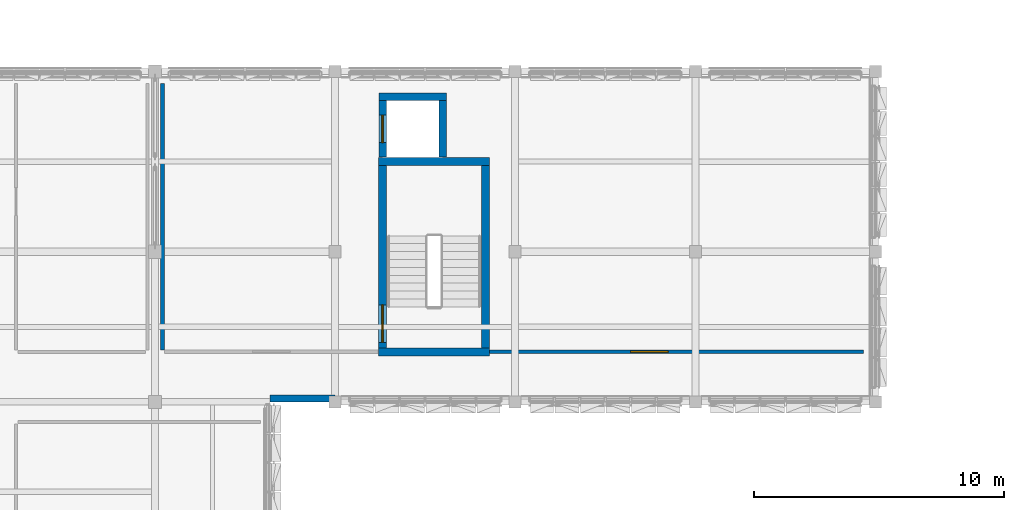
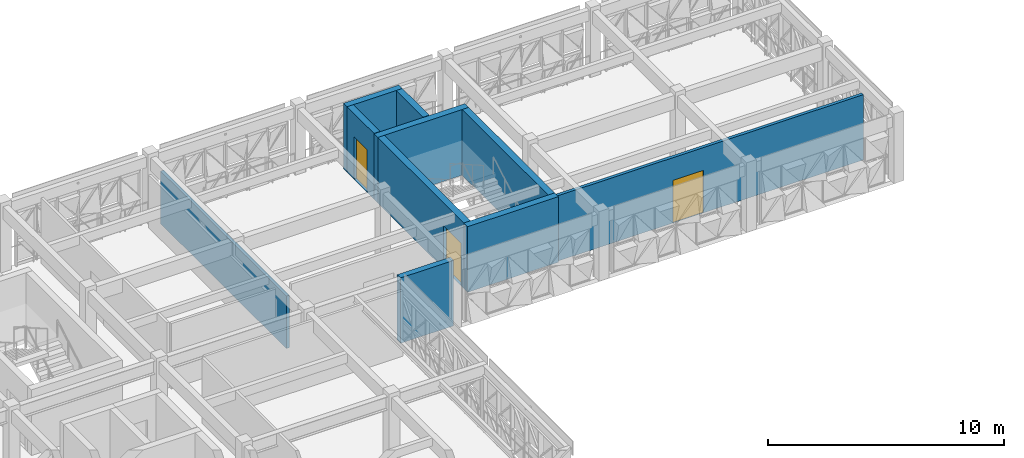
# One storey, part 32 of 48: 10 walls, 3 doors, 3 openings.
"""IFC4 building model written with IfcOpenShell, lengths in metres."""

from ifc_helpers import new_model, si_unit, direction, frame, frame_2d, origin, place, context, subcontext, project, spatial, rectangle, extrude, material, layer, layer_set, type_object, element, fill, save


model = new_model("IFC4")

# Units and contexts
model_context = context("Model", 3, precision=1e-05, world=origin(), true_north=direction((0.0, 1.0)))
body_context = subcontext(model_context, "Body", "Model", "MODEL_VIEW")
ifc_project = project(units=[si_unit("LENGTHUNIT", "METRE"), si_unit("AREAUNIT", "SQUARE_METRE"), si_unit("VOLUMEUNIT", "CUBIC_METRE"), si_unit("PLANEANGLEUNIT", "RADIAN"), si_unit("MASSUNIT", "GRAM", prefix="KILO")], contexts=[model_context])

# Site, building, storey
site_placement = place(None, origin())
site = spatial("IfcSite", under=ifc_project, at=site_placement, CompositionType="ELEMENT")
building_placement = place(site_placement, origin())
building = spatial("IfcBuilding", under=site, at=building_placement, Name="Alvorim Cloister Faculty of Sciences", CompositionType="ELEMENT")
storey_placement = place(building_placement, frame((0.0, 0.0, 19.35009765625)))
storey = spatial("IfcBuildingStorey", under=building, at=storey_placement, Name="L05", CompositionType="ELEMENT", Elevation=19.35009765625)

# Walls
ifc_material_1 = material(Name="Cross-Laminated Timber CLT C24", Category="wood")
ifc_layer_1 = layer(ifc_material_1, 0.280029296875)
ifc_layer_set_1 = layer_set([ifc_layer_1], Name="Cross-Laminated Timber CLT C24")
wall_type_1 = type_object("IfcWallType", Name="WL-EXT-TMB-280", PredefinedType="SOLIDWALL", material=ifc_layer_set_1)
wall_1_placement = place(storey_placement, frame((33.39990234375, 43.340087890625, 0.0), z_axis=(0.0, 0.0, 1.0), x_axis=(1.0, 0.0, 0.0)))
element("IfcWall", 1, at=wall_1_placement, inside=storey, type_object=wall_type_1, Name="L05 Exterior Wall WL-0233", PredefinedType="SOLIDWALL", context=body_context, shape_type="SweptSolid", body=[
    extrude(rectangle(XDim=2.60009765625, YDim=0.280029296875, at=frame_2d((1.300048828125, 0.0))), origin(), (0.0, 0.0, 1.0), 3.3798828125),
])
ifc_material_2 = material(Name="Gypsum Fireboard Stud Partition", Category="gypsum")
ifc_layer_2 = layer(ifc_material_2, 0.14990234375)
ifc_layer_set_2 = layer_set([ifc_layer_2], Name="Gypsum Fireboard Stud Partition")
wall_type_2 = type_object("IfcWallType", Name="WL-PRT-150", PredefinedType="PARTITIONING", material=ifc_layer_set_2)
wall_2_placement = place(storey_placement, frame((29.10009765625, 45.280029296875, 0.0), z_axis=(0.0, 0.0, 1.0), x_axis=(0.0, 1.0, 0.0)))
element("IfcWall", 2, at=wall_2_placement, inside=storey, type_object=wall_type_2, Name="L05 Neuroscience Electrophysiology Lab Partition IWL-0660", PredefinedType="PARTITIONING", context=body_context, shape_type="SweptSolid", body=[
    extrude(rectangle(XDim=10.639892578125, YDim=0.14990234375, at=frame_2d((5.31982421875, 0.0))), origin(), (0.0, 0.0, 1.0), 2.71484375),
])

# Wall, opening, door
wall_3_placement = place(storey_placement, frame((42.179931640625, 45.199951171875, 0.0), z_axis=(0.0, 0.0, 1.0), x_axis=(1.0, 0.0, 0.0)))
wall_3 = element("IfcWall", 3, at=wall_3_placement, inside=storey, type_object=wall_type_2, Name="L05 Biophysics Optical Tweezers Lab Partition IWL-0662", PredefinedType="PARTITIONING", context=body_context, shape_type="SweptSolid", body=[
    extrude(rectangle(XDim=14.940185546875, YDim=0.14990234375, at=frame_2d((7.47021484375, 0.0))), origin(), (0.0, 0.0, 1.0), 3.375),
])
opening_1_placement = place(wall_3_placement, frame((5.63671875, 0.0, 0.0)))
opening_1 = element("IfcOpeningElement", 4, at=opening_1_placement, cuts=wall_3, Name="Opening D-L05-192", PredefinedType="OPENING", context=body_context, shape_type="SweptSolid", body=[
    extrude(rectangle(XDim=1.5, YDim=2.199951171875, at=frame_2d((0.75, 1.10009765625))), frame((0.0, 0.0869140625, 0.0), z_axis=(0.0, -1.0, 0.0), x_axis=(1.0, 0.0, 0.0)), (0.0, 0.0, 1.0), 0.173828125),
])
ifc_material_3 = material(Name="Fire-Rated Laminate Timber", Category="wood")
door_type_1 = type_object("IfcDoorType", Name="DR-LAB-1500x2200", OperationType="NOTDEFINED", PredefinedType="DOOR", material=ifc_material_3)
door_1_placement = place(opening_1_placement, origin())
door_1 = element("IfcDoor", 5, at=door_1_placement, inside=storey, type_object=door_type_1, Name="Biophysics Optical Tweezers Lab Door D-L05-192", OperationType="DOUBLE_DOOR_SINGLE_SWING", OverallHeight=2.199951171875, OverallWidth=1.5, PredefinedType="DOOR", context=body_context, shape_type="SweptSolid", body=[
    extrude(rectangle(XDim=1.5, YDim=2.199951171875, at=frame_2d((0.75, 1.10009765625))), frame((0.0, 0.02490234375, 0.0), z_axis=(0.0, -1.0, 0.0), x_axis=(1.0, 0.0, 0.0)), (0.0, 0.0, 1.0), 0.050048828125),
])
fill(opening_1, door_1)

# Wall
ifc_material_4 = material(Name="Concrete C40", Category="concrete")
ifc_layer_3 = layer(ifc_material_4, 0.300048828125)
ifc_layer_set_3 = layer_set([ifc_layer_3], Name="Concrete C40")
wall_type_3 = type_object("IfcWallType", Name="WL-SHR-300", PredefinedType="SHEAR", material=ifc_layer_set_3)
wall_4_placement = place(storey_placement, frame((37.75, 55.39990234375, 0.0), z_axis=(0.0, 0.0, 1.0), x_axis=(1.0, 0.0, 0.0)))
element("IfcWall", 6, at=wall_4_placement, inside=storey, type_object=wall_type_3, Name="L05 Lift LP-04 Shaft Wall IWL-0356", PredefinedType="SHEAR", context=body_context, shape_type="SweptSolid", body=[
    extrude(rectangle(XDim=2.699951171875, YDim=0.300048828125, at=frame_2d((1.35009765625, 0.0))), origin(), (0.0, 0.0, 1.0), 3.389892578125),
])

# Wall, opening, door
wall_5_placement = place(storey_placement, frame((37.89990234375, 52.97998046875, 0.0), z_axis=(0.0, 0.0, 1.0), x_axis=(0.0, 1.0, 0.0)))
wall_5 = element("IfcWall", 7, at=wall_5_placement, inside=storey, type_object=wall_type_3, Name="L05 Lift LP-04 Shaft Wall IWL-0357", PredefinedType="SHEAR", context=body_context, shape_type="SweptSolid", body=[
    extrude(rectangle(XDim=2.27001953125, YDim=0.300048828125, at=frame_2d((1.135009765625, 0.0))), origin(), (0.0, 0.0, 1.0), 3.389892578125),
])
opening_2_placement = place(wall_5_placement, frame((0.5849609375, 0.0, 0.0)))
opening_2 = element("IfcOpeningElement", 8, at=opening_2_placement, cuts=wall_5, Name="Opening LD-049", PredefinedType="OPENING", context=body_context, shape_type="SweptSolid", body=[
    extrude(rectangle(XDim=1.10009765625, YDim=2.199951171875, at=frame_2d((0.550048828125, 1.10009765625))), frame((0.0, 0.162109375, 0.0), z_axis=(0.0, -1.0, 0.0), x_axis=(1.0, 0.0, 0.0)), (0.0, 0.0, 1.0), 0.323974609375),
])
ifc_material_5 = material(Name="Brushed Stainless Steel", Category="steel")
door_type_2 = type_object("IfcDoorType", Name="DR-LFT-1100x2200", OperationType="NOTDEFINED", PredefinedType="DOOR", material=ifc_material_5)
door_2_placement = place(opening_2_placement, origin())
door_2 = element("IfcDoor", 9, at=door_2_placement, inside=storey, type_object=door_type_2, Name="L05 Lift LP-04 Sliding Landing Door LD-049", OperationType="DOUBLE_DOOR_SLIDING", OverallHeight=2.199951171875, OverallWidth=1.10009765625, PredefinedType="DOOR", context=body_context, shape_type="SweptSolid", body=[
    extrude(rectangle(XDim=1.10009765625, YDim=2.199951171875, at=frame_2d((0.550048828125, 1.10009765625))), frame((0.0, 0.02490234375, 0.0), z_axis=(0.0, -1.0, 0.0), x_axis=(1.0, 0.0, 0.0)), (0.0, 0.0, 1.0), 0.050048828125),
])
fill(opening_2, door_2)

# Walls
wall_6_placement = place(storey_placement, frame((40.300048828125, 52.97998046875, 0.0), z_axis=(0.0, 0.0, 1.0), x_axis=(0.0, 1.0, 0.0)))
element("IfcWall", 10, at=wall_6_placement, inside=storey, type_object=wall_type_3, Name="L05 Lift LP-04 Shaft Wall IWL-0358", PredefinedType="SHEAR", context=body_context, shape_type="SweptSolid", body=[
    extrude(rectangle(XDim=2.27001953125, YDim=0.300048828125, at=frame_2d((1.135009765625, 0.0))), origin(), (0.0, 0.0, 1.0), 3.389892578125),
])
ifc_layer_4 = layer(ifc_material_4, 0.320068359375)
ifc_layer_set_4 = layer_set([ifc_layer_4], Name="Concrete C40")
wall_type_4 = type_object("IfcWallType", Name="WL-SHR-320", PredefinedType="SHEAR", material=ifc_layer_set_4)
for number, where, z_axis, x_axis, name in (
    (11, (37.739990234375, 45.199951171875, 0.0), (0.0, 0.0, 1.0), (1.0, 0.0, 0.0), "L05 CORE K4 Shear Wall IWL-0153"),
    (12, (37.739990234375, 52.800048828125, 0.0), (0.0, 0.0, 1.0), (1.0, 0.0, 0.0), "L05 CORE K4 Shear Wall IWL-0154"),
):
    element("IfcWall", number, at=place(storey_placement, frame(where, z_axis=z_axis, x_axis=x_axis)), inside=storey, type_object=wall_type_4, Name=name, PredefinedType="SHEAR", context=body_context, shape_type="SweptSolid", body=[
        extrude(rectangle(XDim=4.43994140625, YDim=0.320068359375, at=frame_2d((2.219970703125, 0.0))), origin(), (0.0, 0.0, 1.0), 3.389892578125),
    ])

# Wall, opening, door
wall_7_placement = place(storey_placement, frame((37.89990234375, 45.360107421875, 0.0), z_axis=(0.0, 0.0, 1.0), x_axis=(0.0, 1.0, 0.0)))
wall_7 = element("IfcWall", 13, at=wall_7_placement, inside=storey, type_object=wall_type_4, Name="L05 CORE K4 Shear Wall IWL-0155", PredefinedType="SHEAR", context=body_context, shape_type="SweptSolid", body=[
    extrude(rectangle(XDim=7.27978515625, YDim=0.320068359375, at=frame_2d((3.639892578125, 0.0))), origin(), (0.0, 0.0, 1.0), 3.389892578125),
])
opening_3_placement = place(wall_7_placement, frame((0.219970703125, 0.0, 0.0)))
opening_3 = element("IfcOpeningElement", 14, at=opening_3_placement, cuts=wall_7, Name="Opening SD-K4-L05", PredefinedType="OPENING", context=body_context, shape_type="SweptSolid", body=[
    extrude(rectangle(XDim=1.5, YDim=2.199951171875, at=frame_2d((0.75, 1.10009765625))), frame((0.0, 0.171875, 0.0), z_axis=(0.0, -1.0, 0.0), x_axis=(1.0, 0.0, 0.0)), (0.0, 0.0, 1.0), 0.343994140625),
])
ifc_material_6 = material(Name="Galvanised Fire-Rated Steel", Category="steel")
door_type_3 = type_object("IfcDoorType", Name="DR-STR-1500x2200", OperationType="NOTDEFINED", PredefinedType="DOOR", material=ifc_material_6)
door_3_placement = place(opening_3_placement, origin())
door_3 = element("IfcDoor", 15, at=door_3_placement, inside=storey, type_object=door_type_3, Name="L05 Stair ST-04 Fire Door SD-K4-L05", OperationType="DOUBLE_DOOR_SINGLE_SWING", OverallHeight=2.199951171875, OverallWidth=1.5, PredefinedType="DOOR", context=body_context, shape_type="SweptSolid", body=[
    extrude(rectangle(XDim=1.5, YDim=2.199951171875, at=frame_2d((0.75, 1.10009765625))), frame((0.0, 0.02490234375, 0.0), z_axis=(0.0, -1.0, 0.0), x_axis=(1.0, 0.0, 0.0)), (0.0, 0.0, 1.0), 0.050048828125),
])
fill(opening_3, door_3)

# Wall
wall_8_placement = place(storey_placement, frame((42.02001953125, 45.360107421875, 0.0), z_axis=(0.0, 0.0, 1.0), x_axis=(0.0, 1.0, 0.0)))
element("IfcWall", 16, at=wall_8_placement, inside=storey, type_object=wall_type_4, Name="L05 CORE K4 Shear Wall IWL-0156", PredefinedType="SHEAR", context=body_context, shape_type="SweptSolid", body=[
    extrude(rectangle(XDim=7.27978515625, YDim=0.320068359375, at=frame_2d((3.639892578125, 0.0))), origin(), (0.0, 0.0, 1.0), 3.389892578125),
])

save(model, "model.ifc")
